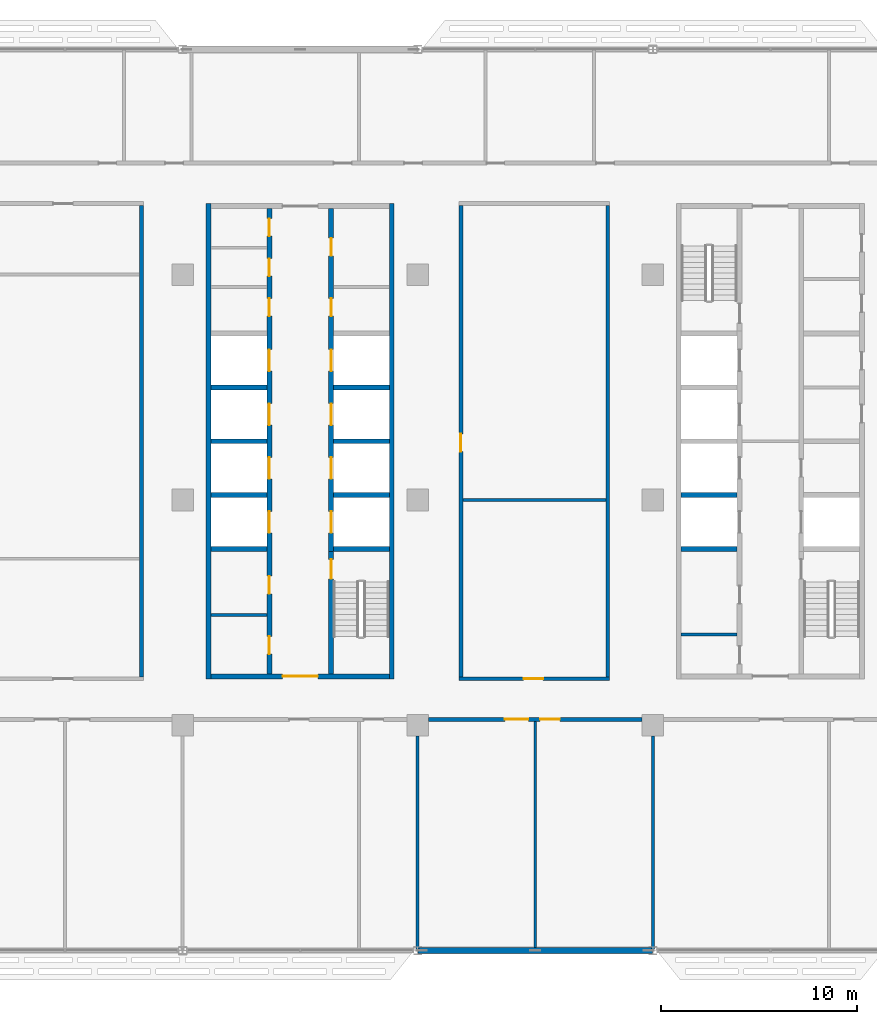
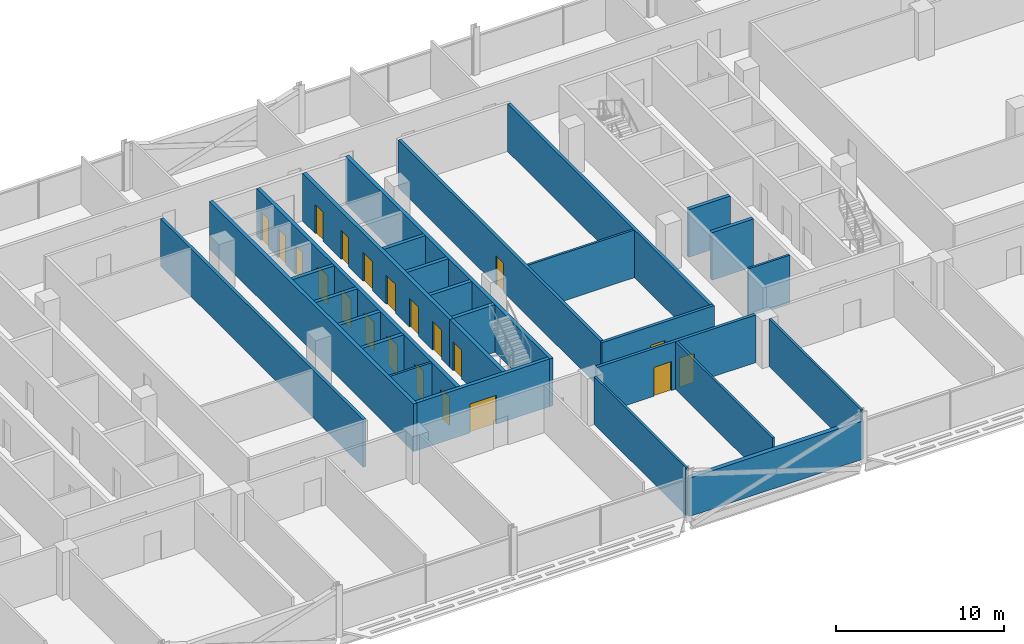
# One storey, part 14 of 30: 28 walls, 21 doors, 21 openings.
"""IFC4 building model written with IfcOpenShell, lengths in metres."""

import ifcopenshell
import ifcopenshell.guid

model = None  # the IFC model being written
_history = None  # IfcOwnerHistory: only IFC2X3 demands one
_inside = {}  # id of a spatial element -> (the spatial element, [elements in it])
_under = {}  # id of a project, library or spatial element -> (it, [spatial elements below it])
_declared = {}  # id of a project -> (the project, [libraries it declares])
_typed = {}  # id of a type object -> (the type object, [elements of that type])
_made_of = {}  # id of a material, layer set ... -> (it, [elements and type objects made of it])


def new_model(schema):
    """Start an empty IFC model of exactly this schema.

    Asked for "IFC4X3", IfcOpenShell would pick the latest addendum, in which some entities
    have other attributes; the version numbers below select the first issue.
    IFC2X3 requires an IfcOwnerHistory on every rooted entity: one is made here for all.
    """
    global model, _history
    if schema == "IFC4X3":
        model = ifcopenshell.file(schema_version=(4, 3, 0, 0))
    else:
        model = ifcopenshell.file(schema=schema)
    _inside.clear()
    _under.clear()
    _declared.clear()
    _typed.clear()
    _made_of.clear()
    _history = None
    if model.schema == "IFC2X3":
        org = make("IfcOrganization", Name="unknown")
        user = make(
            "IfcPersonAndOrganization",
            ThePerson=make("IfcPerson", FamilyName="unknown"),
            TheOrganization=org,
        )
        app = make(
            "IfcApplication",
            ApplicationDeveloper=org,
            Version="unknown",
            ApplicationFullName="unknown",
            ApplicationIdentifier="unknown",
        )
        _history = make(
            "IfcOwnerHistory",
            OwningUser=user,
            OwningApplication=app,
            ChangeAction="ADDED",
            CreationDate=0,
        )
    return model


def make(cls, **values):
    """One entity of the class cls with the attributes given. An attribute that is None is left unset."""
    return model.create_entity(
        cls, **{name: value for name, value in values.items() if value is not None}
    )


def rooted(cls, **values):
    """An entity with a GlobalId (a new one), such as an element, a storey or a relation."""
    return make(cls, GlobalId=ifcopenshell.guid.new(), OwnerHistory=_history, **values)


def si_unit(unit_type, name, prefix=None):
    """IfcSIUnit, for example si_unit("LENGTHUNIT", "METRE", prefix="MILLI")."""
    return make("IfcSIUnit", UnitType=unit_type, Prefix=prefix, Name=name)


def assignment(units):
    """IfcUnitAssignment: the units of a project."""
    return None if units is None else make("IfcUnitAssignment", Units=units)


def point(xyz):
    """IfcCartesianPoint."""
    return None if xyz is None else make("IfcCartesianPoint", Coordinates=xyz)


def direction(xyz):
    """IfcDirection."""
    return None if xyz is None else make("IfcDirection", DirectionRatios=xyz)


def frame(location, z_axis=None, x_axis=None):
    """IfcAxis2Placement3D, a coordinate frame: its origin and axes. An axis left out is left unset."""
    return make(
        "IfcAxis2Placement3D",
        Location=point(location),
        Axis=direction(z_axis),
        RefDirection=direction(x_axis),
    )


def frame_2d(location, x_axis=None):
    """IfcAxis2Placement2D, a coordinate frame in the plane: its origin and x axis."""
    return make(
        "IfcAxis2Placement2D", Location=point(location), RefDirection=direction(x_axis)
    )


def origin():
    """The frame at (0, 0, 0) with its axes left unset."""
    return frame((0.0, 0.0, 0.0))


def place(relative_to, where):
    """IfcLocalPlacement: puts the frame where relative to a parent placement (None: the world)."""
    return make(
        "IfcLocalPlacement", PlacementRelTo=relative_to, RelativePlacement=where
    )


def context(
    kind, dimensions, precision=None, world=None, true_north=None, identifier=None
):
    """IfcGeometricRepresentationContext, for example the 3D "Model" context."""
    return make(
        "IfcGeometricRepresentationContext",
        ContextIdentifier=identifier,
        ContextType=kind,
        CoordinateSpaceDimension=dimensions,
        Precision=precision,
        WorldCoordinateSystem=world,
        TrueNorth=true_north,
    )


def subcontext(parent, identifier, kind, view, scale=None):
    """IfcGeometricRepresentationSubContext, for example "Body" below "Model"."""
    return make(
        "IfcGeometricRepresentationSubContext",
        ContextIdentifier=identifier,
        ContextType=kind,
        ParentContext=parent,
        TargetScale=scale,
        TargetView=view,
    )


def project(units=None, contexts=None):
    """IfcProject with its units and contexts."""
    return rooted(
        "IfcProject",
        Name="project",
        RepresentationContexts=contexts,
        UnitsInContext=assignment(units),
    )


def spatial(cls, under=None, at=None, **own):
    """A site, building, storey or space (cls), placed at a placement, below another one or the project."""
    s = rooted(cls, ObjectPlacement=at, **own)
    if under is not None:
        _under.setdefault(under.id(), (under, []))[1].append(s)
    return s


def profile(cls, at=None, kind="AREA", **sizes):
    """A parametric profile (cls). Its sizes go by their IFC names, for example OverallWidth=200.0."""
    return make(cls, ProfileType=kind, Position=at, **sizes)


def rectangle(**sizes):
    """IfcRectangleProfileDef."""
    return profile("IfcRectangleProfileDef", **sizes)


def extrude(swept, where, along, depth):
    """IfcExtrudedAreaSolid: the profile swept, set in the frame where, extruded along a direction by depth."""
    return make(
        "IfcExtrudedAreaSolid",
        SweptArea=swept,
        Position=where,
        ExtrudedDirection=direction(along),
        Depth=depth,
    )


def shape(context_of_items, identifier, shape_type, items):
    """IfcShapeRepresentation: the items that make up one representation, for example the "Body"."""
    return make(
        "IfcShapeRepresentation",
        ContextOfItems=context_of_items,
        RepresentationIdentifier=identifier,
        RepresentationType=shape_type,
        Items=items,
    )


def material(Name=None, Category=None):
    """IfcMaterial."""
    return make("IfcMaterial", Name=Name, Category=Category)


def layer(
    of_material, thickness, ventilated=None, Name=None, Category=None, Priority=None
):
    """IfcMaterialLayer: one layer of a wall or slab, of a material (None: an air gap)."""
    return make(
        "IfcMaterialLayer",
        Material=of_material,
        LayerThickness=thickness,
        IsVentilated=ventilated,
        Name=Name,
        Category=Category,
        Priority=Priority,
    )


def layer_set(layers, Name=None):
    """IfcMaterialLayerSet."""
    return make("IfcMaterialLayerSet", MaterialLayers=layers, LayerSetName=Name)


def made_of(thing, what):
    """Note that an element or type object is made of a material, layer set ...; save() writes the relation."""
    if what is not None:
        _made_of.setdefault(what.id(), (what, []))[1].append(thing)
    return thing


def type_object(cls, material=None, **own):
    """A type object (cls), such as IfcWallType, which elements share."""
    return made_of(rooted(cls, **own), material)


def element(
    cls,
    number,
    at=None,
    inside=None,
    cuts=None,
    type_object=None,
    material=None,
    context=None,
    identifier="Body",
    shape_type=None,
    held_by="IfcProductDefinitionShape",
    body=None,
    shapes=None,
    **own,
):
    """One element of the class cls, such as IfcWall. Its Tag is "e" and its number.

    at: its placement. inside: the storey or other place that contains it. cuts: it is an
    opening in that element (IfcRelVoidsElement). A single representation is given by context,
    identifier, shape_type and body (its items); several are given by shapes. held_by: the class
    of the entity that holds the representations. save() writes the other relations.
    """
    e = rooted(cls, Tag="e%d" % number, ObjectPlacement=at, **own)
    if body is not None:
        shapes = [shape(context, identifier, shape_type, body)]
    if shapes is not None:
        e.Representation = make(held_by, Representations=shapes)
    if inside is not None:
        _inside.setdefault(inside.id(), (inside, []))[1].append(e)
    if cuts is not None:
        rooted(
            "IfcRelVoidsElement", RelatingBuildingElement=cuts, RelatedOpeningElement=e
        )
    if type_object is not None:
        _typed.setdefault(type_object.id(), (type_object, []))[1].append(e)
    return made_of(e, material)


def fill(opening, filler):
    """IfcRelFillsElement: the door or window that sits in an opening."""
    return rooted(
        "IfcRelFillsElement",
        RelatingOpeningElement=opening,
        RelatedBuildingElement=filler,
    )


def aggregate(whole, parts):
    """IfcRelAggregates: a whole, such as a stair, and the parts it consists of."""
    return rooted("IfcRelAggregates", RelatingObject=whole, RelatedObjects=parts)


def save(model, path):
    """Write the relations noted so far, then the file.

    IfcRelAggregates (storeys below a building ...), IfcRelContainedInSpatialStructure (elements
    in a storey), IfcRelDefinesByType, IfcRelAssociatesMaterial and IfcRelDeclares: one each for
    every whole, place, type object, material and project.
    """
    for whole, parts in _under.values():
        aggregate(whole, parts)
    for where, things in _inside.values():
        rooted(
            "IfcRelContainedInSpatialStructure",
            RelatedElements=things,
            RelatingStructure=where,
        )
    for kind, things in _typed.values():
        rooted("IfcRelDefinesByType", RelatedObjects=things, RelatingType=kind)
    for what, things in _made_of.values():
        rooted("IfcRelAssociatesMaterial", RelatedObjects=things, RelatingMaterial=what)
    for by, libraries in _declared.values():
        rooted("IfcRelDeclares", RelatingContext=by, RelatedDefinitions=libraries)
    model.write(path)


model = new_model("IFC4")

# Units and contexts
model_context = context("Model", 3, precision=1e-05, world=origin(), true_north=direction((0.0, 1.0)))
body_context = subcontext(model_context, "Body", "Model", "MODEL_VIEW")
ifc_project = project(units=[si_unit("LENGTHUNIT", "METRE"), si_unit("AREAUNIT", "SQUARE_METRE"), si_unit("VOLUMEUNIT", "CUBIC_METRE"), si_unit("PLANEANGLEUNIT", "RADIAN"), si_unit("MASSUNIT", "GRAM", prefix="KILO")], contexts=[model_context])

# Site, building, storey
site_placement = place(None, origin())
site = spatial("IfcSite", under=ifc_project, at=site_placement, CompositionType="ELEMENT")
building_placement = place(site_placement, origin())
building = spatial("IfcBuilding", under=site, at=building_placement, Name="Mahtab Terrace Research Tower", CompositionType="ELEMENT")
storey_placement = place(building_placement, frame((0.0, 0.0, 201.5)))
storey = spatial("IfcBuildingStorey", under=building, at=storey_placement, Name="L48", CompositionType="ELEMENT", Elevation=201.5)

# Walls
ifc_material_1 = material(Name="Gypsum board partition")
ifc_layer_1 = layer(ifc_material_1, 0.14990234375)
ifc_layer_set_1 = layer_set([ifc_layer_1], Name="Core partition 150")
wall_type_1 = type_object("IfcWallType", Name="Core partition 150", PredefinedType="PARTITIONING", material=ifc_layer_set_1)
for number, where, z_axis, x_axis, name in (
    (1, (-4.550048828125, -5.875, 0.0), (0.0, 0.0, 1.0), (1.0, 0.0, 0.0), "Core wall B pWS-888"),
    (2, (19.449951171875, -6.875, 0.0), (0.0, 0.0, 1.0), (1.0, 0.0, 0.0), "Core wall C pWS-988"),
):
    element("IfcWall", number, at=place(storey_placement, frame(where, z_axis=z_axis, x_axis=x_axis)), inside=storey, type_object=wall_type_1, Name=name, PredefinedType="PARTITIONING", context=body_context, shape_type="SweptSolid", body=[
        extrude(rectangle(XDim=2.85009765625, YDim=0.14990234375, at=frame_2d((1.425048828125, 0.0))), origin(), (0.0, 0.0, 1.0), 3.4599609375),
    ])
ifc_material_2 = material(Name="Concrete C70/85", Category="concrete")
ifc_layer_2 = layer(ifc_material_2, 0.25)
ifc_layer_set_2 = layer_set([ifc_layer_2], Name="Core wall 250")
wall_type_2 = type_object("IfcWallType", Name="Core wall 250", PredefinedType="SOLIDWALL", material=ifc_layer_set_2)
for number, where, z_axis, x_axis, name in (
    (3, (-4.675048828125, 15.125, 0.0), (0.0, 0.0, 1.0), (0.0, -1.0, 0.0), "Core wall B outerW"),
    (4, (4.675048828125, -9.125, 0.0), (0.0, 0.0, 1.0), (0.0, 1.0, 0.0), "Core wall B outerE"),
):
    element("IfcWall", number, at=place(storey_placement, frame(where, z_axis=z_axis, x_axis=x_axis)), inside=storey, type_object=wall_type_2, Name=name, PredefinedType="SOLIDWALL", context=body_context, shape_type="SweptSolid", body=[
        extrude(rectangle(XDim=24.25, YDim=0.25, at=frame_2d((12.125, 0.0))), origin(), (0.0, 0.0, 1.0), 3.4599609375),
    ])

# Wall, opening, door
wall_1_placement = place(storey_placement, frame((4.550048828125, -9.0, 0.0), z_axis=(0.0, 0.0, 1.0), x_axis=(-1.0, 0.0, 0.0)))
wall_1 = element("IfcWall", 5, at=wall_1_placement, inside=storey, type_object=wall_type_2, Name="Core wall B endS", PredefinedType="SOLIDWALL", context=body_context, shape_type="SweptSolid", body=[
    extrude(rectangle(XDim=9.10009765625, YDim=0.25, at=frame_2d((4.550048828125, 0.0))), origin(), (0.0, 0.0, 1.0), 3.4599609375),
])
opening_1_placement = place(wall_1_placement, frame((3.64990234375, 0.0, 0.0)))
opening_1 = element("IfcOpeningElement", 6, at=opening_1_placement, cuts=wall_1, Name="Opening B-S1", PredefinedType="OPENING", context=body_context, shape_type="SweptSolid", body=[
    extrude(rectangle(XDim=1.800048828125, YDim=2.10009765625, at=frame_2d((0.89990234375, 1.050048828125))), frame((0.0, 0.135009765625, 0.0), z_axis=(0.0, -1.0, 0.0), x_axis=(1.0, 0.0, 0.0)), (0.0, 0.0, 1.0), 0.27001953125),
])
ifc_material_3 = material(Name="Steel fire door", Category="steel")
door_type_1 = type_object("IfcDoorType", Name="Lobby double door 1800x2100 1 HR", OperationType="DOUBLE_DOOR_SINGLE_SWING", PredefinedType="DOOR", material=ifc_material_3)
door_1_placement = place(opening_1_placement, origin())
door_1 = element("IfcDoor", 7, at=door_1_placement, inside=storey, type_object=door_type_1, Name="Core entrance door B S", OperationType="DOUBLE_DOOR_SINGLE_SWING", OverallHeight=2.10009765625, OverallWidth=1.800048828125, PredefinedType="DOOR", context=body_context, shape_type="SweptSolid", body=[
    extrude(rectangle(XDim=1.800048828125, YDim=2.10009765625, at=frame_2d((0.89990234375, 1.050048828125))), frame((0.0, 0.02490234375, 0.0), z_axis=(0.0, -1.0, 0.0), x_axis=(1.0, 0.0, 0.0)), (0.0, 0.0, 1.0), 0.050048828125),
])
fill(opening_1, door_1)

# Wall, openings, doors
wall_2_placement = place(storey_placement, frame((-1.574951171875, -8.875, 0.0), z_axis=(0.0, 0.0, 1.0), x_axis=(0.0, 1.0, 0.0)))
wall_2 = element("IfcWall", 8, at=wall_2_placement, inside=storey, type_object=wall_type_2, Name="Core wall B innerWSLN", PredefinedType="SOLIDWALL", context=body_context, shape_type="SweptSolid", body=[
    extrude(rectangle(XDim=23.75, YDim=0.25, at=frame_2d((11.875, 0.0))), origin(), (0.0, 0.0, 1.0), 3.4599609375),
])
opening_2_placement = place(wall_2_placement, frame((7.199951171875, 0.0, 0.0)))
opening_2 = element("IfcOpeningElement", 9, at=opening_2_placement, cuts=wall_2, Name="Opening LD09-L48", PredefinedType="OPENING", context=body_context, shape_type="SweptSolid", body=[
    extrude(rectangle(XDim=1.10009765625, YDim=2.10009765625, at=frame_2d((0.550048828125, 1.050048828125))), frame((0.0, 0.135009765625, 0.0), z_axis=(0.0, -1.0, 0.0), x_axis=(1.0, 0.0, 0.0)), (0.0, 0.0, 1.0), 0.27001953125),
])
opening_3_placement = place(wall_2_placement, frame((9.949951171875, 0.0, 0.0)))
opening_3 = element("IfcOpeningElement", 10, at=opening_3_placement, cuts=wall_2, Name="Opening LD10-L48", PredefinedType="OPENING", context=body_context, shape_type="SweptSolid", body=[
    extrude(rectangle(XDim=1.10009765625, YDim=2.10009765625, at=frame_2d((0.550048828125, 1.050048828125))), frame((0.0, 0.135009765625, 0.0), z_axis=(0.0, -1.0, 0.0), x_axis=(1.0, 0.0, 0.0)), (0.0, 0.0, 1.0), 0.27001953125),
])
opening_4_placement = place(wall_2_placement, frame((12.699951171875, 0.0, 0.0)))
opening_4 = element("IfcOpeningElement", 11, at=opening_4_placement, cuts=wall_2, Name="Opening LD11-L48", PredefinedType="OPENING", context=body_context, shape_type="SweptSolid", body=[
    extrude(rectangle(XDim=1.10009765625, YDim=2.10009765625, at=frame_2d((0.550048828125, 1.050048828125))), frame((0.0, 0.135009765625, 0.0), z_axis=(0.0, -1.0, 0.0), x_axis=(1.0, 0.0, 0.0)), (0.0, 0.0, 1.0), 0.27001953125),
])
opening_5_placement = place(wall_2_placement, frame((15.449951171875, 0.0, 0.0)))
opening_5 = element("IfcOpeningElement", 12, at=opening_5_placement, cuts=wall_2, Name="Opening LD12-L48", PredefinedType="OPENING", context=body_context, shape_type="SweptSolid", body=[
    extrude(rectangle(XDim=1.10009765625, YDim=2.10009765625, at=frame_2d((0.550048828125, 1.050048828125))), frame((0.0, 0.135009765625, 0.0), z_axis=(0.0, -1.0, 0.0), x_axis=(1.0, 0.0, 0.0)), (0.0, 0.0, 1.0), 0.27001953125),
])
opening_6_placement = place(wall_2_placement, frame((1.012451171875, 0.0, 0.0)))
opening_6 = element("IfcOpeningElement", 13, at=opening_6_placement, cuts=wall_2, Name="Opening B-R1", PredefinedType="OPENING", context=body_context, shape_type="SweptSolid", body=[
    extrude(rectangle(XDim=0.89990234375, YDim=2.10009765625, at=frame_2d((0.449951171875, 1.050048828125))), frame((0.0, 0.135009765625, 0.0), z_axis=(0.0, -1.0, 0.0), x_axis=(1.0, 0.0, 0.0)), (0.0, 0.0, 1.0), 0.27001953125),
])
opening_7_placement = place(wall_2_placement, frame((4.08740234375, 0.0, 0.0)))
opening_7 = element("IfcOpeningElement", 14, at=opening_7_placement, cuts=wall_2, Name="Opening B-R2", PredefinedType="OPENING", context=body_context, shape_type="SweptSolid", body=[
    extrude(rectangle(XDim=0.89990234375, YDim=2.10009765625, at=frame_2d((0.449951171875, 1.050048828125))), frame((0.0, 0.135009765625, 0.0), z_axis=(0.0, -1.0, 0.0), x_axis=(1.0, 0.0, 0.0)), (0.0, 0.0, 1.0), 0.27001953125),
])
opening_8_placement = place(wall_2_placement, frame((18.262451171875, 0.0, 0.0)))
opening_8 = element("IfcOpeningElement", 15, at=opening_8_placement, cuts=wall_2, Name="Opening B-R3", PredefinedType="OPENING", context=body_context, shape_type="SweptSolid", body=[
    extrude(rectangle(XDim=0.89990234375, YDim=2.10009765625, at=frame_2d((0.449951171875, 1.050048828125))), frame((0.0, 0.135009765625, 0.0), z_axis=(0.0, -1.0, 0.0), x_axis=(1.0, 0.0, 0.0)), (0.0, 0.0, 1.0), 0.27001953125),
])
opening_9_placement = place(wall_2_placement, frame((20.300048828125, 0.0, 0.0)))
opening_9 = element("IfcOpeningElement", 16, at=opening_9_placement, cuts=wall_2, Name="Opening B-R4", PredefinedType="OPENING", context=body_context, shape_type="SweptSolid", body=[
    extrude(rectangle(XDim=0.89990234375, YDim=2.10009765625, at=frame_2d((0.449951171875, 1.050048828125))), frame((0.0, 0.135009765625, 0.0), z_axis=(0.0, -1.0, 0.0), x_axis=(1.0, 0.0, 0.0)), (0.0, 0.0, 1.0), 0.27001953125),
])
opening_10_placement = place(wall_2_placement, frame((22.33740234375, 0.0, 0.0)))
opening_10 = element("IfcOpeningElement", 17, at=opening_10_placement, cuts=wall_2, Name="Opening B-R5", PredefinedType="OPENING", context=body_context, shape_type="SweptSolid", body=[
    extrude(rectangle(XDim=0.89990234375, YDim=2.10009765625, at=frame_2d((0.449951171875, 1.050048828125))), frame((0.0, 0.135009765625, 0.0), z_axis=(0.0, -1.0, 0.0), x_axis=(1.0, 0.0, 0.0)), (0.0, 0.0, 1.0), 0.27001953125),
])
ifc_material_4 = material(Name="Stainless steel AISI 304", Category="steel")
door_type_2 = type_object("IfcDoorType", Name="Landing door 1100x2100", OperationType="DOUBLE_DOOR_SLIDING", PredefinedType="DOOR", material=ifc_material_4)
door_2_placement = place(opening_2_placement, origin())
door_2 = element("IfcDoor", 18, at=door_2_placement, inside=storey, type_object=door_type_2, Name="Landing door HR1 L48", OperationType="DOUBLE_DOOR_SLIDING", OverallHeight=2.10009765625, OverallWidth=1.10009765625, PredefinedType="DOOR", context=body_context, shape_type="SweptSolid", body=[
    extrude(rectangle(XDim=1.10009765625, YDim=2.10009765625, at=frame_2d((0.550048828125, 1.050048828125))), frame((0.0, 0.02490234375, 0.0), z_axis=(0.0, -1.0, 0.0), x_axis=(1.0, 0.0, 0.0)), (0.0, 0.0, 1.0), 0.050048828125),
])
fill(opening_2, door_2)
door_3_placement = place(opening_3_placement, origin())
door_3 = element("IfcDoor", 19, at=door_3_placement, inside=storey, type_object=door_type_2, Name="Landing door HR2 L48", OperationType="DOUBLE_DOOR_SLIDING", OverallHeight=2.10009765625, OverallWidth=1.10009765625, PredefinedType="DOOR", context=body_context, shape_type="SweptSolid", body=[
    extrude(rectangle(XDim=1.10009765625, YDim=2.10009765625, at=frame_2d((0.550048828125, 1.050048828125))), frame((0.0, 0.02490234375, 0.0), z_axis=(0.0, -1.0, 0.0), x_axis=(1.0, 0.0, 0.0)), (0.0, 0.0, 1.0), 0.050048828125),
])
fill(opening_3, door_3)
door_4_placement = place(opening_4_placement, origin())
door_4 = element("IfcDoor", 20, at=door_4_placement, inside=storey, type_object=door_type_2, Name="Landing door HR3 L48", OperationType="DOUBLE_DOOR_SLIDING", OverallHeight=2.10009765625, OverallWidth=1.10009765625, PredefinedType="DOOR", context=body_context, shape_type="SweptSolid", body=[
    extrude(rectangle(XDim=1.10009765625, YDim=2.10009765625, at=frame_2d((0.550048828125, 1.050048828125))), frame((0.0, 0.02490234375, 0.0), z_axis=(0.0, -1.0, 0.0), x_axis=(1.0, 0.0, 0.0)), (0.0, 0.0, 1.0), 0.050048828125),
])
fill(opening_4, door_4)
door_5_placement = place(opening_5_placement, origin())
door_5 = element("IfcDoor", 21, at=door_5_placement, inside=storey, type_object=door_type_2, Name="Landing door HR4 L48", OperationType="DOUBLE_DOOR_SLIDING", OverallHeight=2.10009765625, OverallWidth=1.10009765625, PredefinedType="DOOR", context=body_context, shape_type="SweptSolid", body=[
    extrude(rectangle(XDim=1.10009765625, YDim=2.10009765625, at=frame_2d((0.550048828125, 1.050048828125))), frame((0.0, 0.02490234375, 0.0), z_axis=(0.0, -1.0, 0.0), x_axis=(1.0, 0.0, 0.0)), (0.0, 0.0, 1.0), 0.050048828125),
])
fill(opening_5, door_5)
door_type_3 = type_object("IfcDoorType", Name="Room door 900x2100 1 HR", OperationType="NOTDEFINED", PredefinedType="DOOR", material=ifc_material_3)
door_6_placement = place(opening_6_placement, origin())
door_6 = element("IfcDoor", 22, at=door_6_placement, inside=storey, type_object=door_type_3, Name="Housekeeping store door", OperationType="SINGLE_SWING_LEFT", OverallHeight=2.10009765625, OverallWidth=0.89990234375, PredefinedType="DOOR", context=body_context, shape_type="SweptSolid", body=[
    extrude(rectangle(XDim=0.89990234375, YDim=2.10009765625, at=frame_2d((0.449951171875, 1.050048828125))), frame((0.0, 0.02490234375, 0.0), z_axis=(0.0, -1.0, 0.0), x_axis=(1.0, 0.0, 0.0)), (0.0, 0.0, 1.0), 0.050048828125),
])
fill(opening_6, door_6)
door_7_placement = place(opening_7_placement, origin())
door_7 = element("IfcDoor", 23, at=door_7_placement, inside=storey, type_object=door_type_3, Name="Electrical riser room door", OperationType="SINGLE_SWING_RIGHT", OverallHeight=2.10009765625, OverallWidth=0.89990234375, PredefinedType="DOOR", context=body_context, shape_type="SweptSolid", body=[
    extrude(rectangle(XDim=0.89990234375, YDim=2.10009765625, at=frame_2d((0.449951171875, 1.050048828125))), frame((0.0, 0.02490234375, 0.0), z_axis=(0.0, -1.0, 0.0), x_axis=(1.0, 0.0, 0.0)), (0.0, 0.0, 1.0), 0.050048828125),
])
fill(opening_7, door_7)
door_8_placement = place(opening_8_placement, origin())
door_8 = element("IfcDoor", 24, at=door_8_placement, inside=storey, type_object=door_type_3, Name="Comms riser room door", OperationType="SINGLE_SWING_LEFT", OverallHeight=2.10009765625, OverallWidth=0.89990234375, PredefinedType="DOOR", context=body_context, shape_type="SweptSolid", body=[
    extrude(rectangle(XDim=0.89990234375, YDim=2.10009765625, at=frame_2d((0.449951171875, 1.050048828125))), frame((0.0, 0.02490234375, 0.0), z_axis=(0.0, -1.0, 0.0), x_axis=(1.0, 0.0, 0.0)), (0.0, 0.0, 1.0), 0.050048828125),
])
fill(opening_8, door_8)
door_9_placement = place(opening_9_placement, origin())
door_9 = element("IfcDoor", 25, at=door_9_placement, inside=storey, type_object=door_type_3, Name="Pantry door", OperationType="SINGLE_SWING_RIGHT", OverallHeight=2.10009765625, OverallWidth=0.89990234375, PredefinedType="DOOR", context=body_context, shape_type="SweptSolid", body=[
    extrude(rectangle(XDim=0.89990234375, YDim=2.10009765625, at=frame_2d((0.449951171875, 1.050048828125))), frame((0.0, 0.02490234375, 0.0), z_axis=(0.0, -1.0, 0.0), x_axis=(1.0, 0.0, 0.0)), (0.0, 0.0, 1.0), 0.050048828125),
])
fill(opening_9, door_9)
door_10_placement = place(opening_10_placement, origin())
door_10 = element("IfcDoor", 26, at=door_10_placement, inside=storey, type_object=door_type_3, Name="Cleaners store door", OperationType="SINGLE_SWING_LEFT", OverallHeight=2.10009765625, OverallWidth=0.89990234375, PredefinedType="DOOR", context=body_context, shape_type="SweptSolid", body=[
    extrude(rectangle(XDim=0.89990234375, YDim=2.10009765625, at=frame_2d((0.449951171875, 1.050048828125))), frame((0.0, 0.02490234375, 0.0), z_axis=(0.0, -1.0, 0.0), x_axis=(1.0, 0.0, 0.0)), (0.0, 0.0, 1.0), 0.050048828125),
])
fill(opening_10, door_10)

# Wall, opening, door
wall_3_placement = place(storey_placement, frame((1.574951171875, -8.875, 0.0), z_axis=(0.0, 0.0, 1.0), x_axis=(0.0, 1.0, 0.0)))
wall_3 = element("IfcWall", 27, at=wall_3_placement, inside=storey, type_object=wall_type_2, Name="Core wall B innerES", PredefinedType="SOLIDWALL", context=body_context, shape_type="SweptSolid", body=[
    extrude(rectangle(XDim=6.25, YDim=0.25, at=frame_2d((3.125, 0.0))), origin(), (0.0, 0.0, 1.0), 3.4599609375),
])
opening_11_placement = place(wall_3_placement, frame((4.85009765625, 0.0, 0.0)))
opening_11 = element("IfcOpeningElement", 28, at=opening_11_placement, cuts=wall_3, Name="Opening B-ST2", PredefinedType="OPENING", context=body_context, shape_type="SweptSolid", body=[
    extrude(rectangle(XDim=1.0, YDim=2.10009765625, at=frame_2d((0.5, 1.050048828125))), frame((0.0, 0.135009765625, 0.0), z_axis=(0.0, -1.0, 0.0), x_axis=(1.0, 0.0, 0.0)), (0.0, 0.0, 1.0), 0.27001953125),
])
door_type_4 = type_object("IfcDoorType", Name="Stair door 1000x2100 1.5 HR", OperationType="NOTDEFINED", PredefinedType="DOOR", material=ifc_material_3)
door_11_placement = place(opening_11_placement, origin())
door_11 = element("IfcDoor", 29, at=door_11_placement, inside=storey, type_object=door_type_4, Name="Stair door ST2 L48", OperationType="SINGLE_SWING_RIGHT", OverallHeight=2.10009765625, OverallWidth=1.0, PredefinedType="DOOR", context=body_context, shape_type="SweptSolid", body=[
    extrude(rectangle(XDim=1.0, YDim=2.10009765625, at=frame_2d((0.5, 1.050048828125))), frame((0.0, 0.02490234375, 0.0), z_axis=(0.0, -1.0, 0.0), x_axis=(1.0, 0.0, 0.0)), (0.0, 0.0, 1.0), 0.050048828125),
])
fill(opening_11, door_11)

# Wall, openings, doors
wall_4_placement = place(storey_placement, frame((1.574951171875, 14.875, 0.0), z_axis=(0.0, 0.0, 1.0), x_axis=(0.0, -1.0, 0.0)))
wall_4 = element("IfcWall", 30, at=wall_4_placement, inside=storey, type_object=wall_type_2, Name="Core wall B innerELN", PredefinedType="SOLIDWALL", context=body_context, shape_type="SweptSolid", body=[
    extrude(rectangle(XDim=17.5, YDim=0.25, at=frame_2d((8.75, 0.0))), origin(), (0.0, 0.0, 1.0), 3.4599609375),
])
opening_12_placement = place(wall_4_placement, frame((15.449951171875, 0.0, 0.0)))
opening_12 = element("IfcOpeningElement", 31, at=opening_12_placement, cuts=wall_4, Name="Opening LD13-L48", PredefinedType="OPENING", context=body_context, shape_type="SweptSolid", body=[
    extrude(rectangle(XDim=1.10009765625, YDim=2.10009765625, at=frame_2d((0.550048828125, 1.050048828125))), frame((0.0, 0.135009765625, 0.0), z_axis=(0.0, -1.0, 0.0), x_axis=(1.0, 0.0, 0.0)), (0.0, 0.0, 1.0), 0.27001953125),
])
opening_13_placement = place(wall_4_placement, frame((12.699951171875, 0.0, 0.0)))
opening_13 = element("IfcOpeningElement", 32, at=opening_13_placement, cuts=wall_4, Name="Opening LD14-L48", PredefinedType="OPENING", context=body_context, shape_type="SweptSolid", body=[
    extrude(rectangle(XDim=1.10009765625, YDim=2.10009765625, at=frame_2d((0.550048828125, 1.050048828125))), frame((0.0, 0.135009765625, 0.0), z_axis=(0.0, -1.0, 0.0), x_axis=(1.0, 0.0, 0.0)), (0.0, 0.0, 1.0), 0.27001953125),
])
opening_14_placement = place(wall_4_placement, frame((9.949951171875, 0.0, 0.0)))
opening_14 = element("IfcOpeningElement", 33, at=opening_14_placement, cuts=wall_4, Name="Opening LD15-L48", PredefinedType="OPENING", context=body_context, shape_type="SweptSolid", body=[
    extrude(rectangle(XDim=1.10009765625, YDim=2.10009765625, at=frame_2d((0.550048828125, 1.050048828125))), frame((0.0, 0.135009765625, 0.0), z_axis=(0.0, -1.0, 0.0), x_axis=(1.0, 0.0, 0.0)), (0.0, 0.0, 1.0), 0.27001953125),
])
opening_15_placement = place(wall_4_placement, frame((7.199951171875, 0.0, 0.0)))
opening_15 = element("IfcOpeningElement", 34, at=opening_15_placement, cuts=wall_4, Name="Opening LD16-L48", PredefinedType="OPENING", context=body_context, shape_type="SweptSolid", body=[
    extrude(rectangle(XDim=1.10009765625, YDim=2.10009765625, at=frame_2d((0.550048828125, 1.050048828125))), frame((0.0, 0.135009765625, 0.0), z_axis=(0.0, -1.0, 0.0), x_axis=(1.0, 0.0, 0.0)), (0.0, 0.0, 1.0), 0.27001953125),
])
opening_16_placement = place(wall_4_placement, frame((4.58740234375, 0.0, 0.0)))
opening_16 = element("IfcOpeningElement", 35, at=opening_16_placement, cuts=wall_4, Name="Opening B-R6", PredefinedType="OPENING", context=body_context, shape_type="SweptSolid", body=[
    extrude(rectangle(XDim=0.89990234375, YDim=2.10009765625, at=frame_2d((0.449951171875, 1.050048828125))), frame((0.0, 0.135009765625, 0.0), z_axis=(0.0, -1.0, 0.0), x_axis=(1.0, 0.0, 0.0)), (0.0, 0.0, 1.0), 0.27001953125),
])
opening_17_placement = place(wall_4_placement, frame((1.512451171875, 0.0, 0.0)))
opening_17 = element("IfcOpeningElement", 36, at=opening_17_placement, cuts=wall_4, Name="Opening B-R7", PredefinedType="OPENING", context=body_context, shape_type="SweptSolid", body=[
    extrude(rectangle(XDim=0.89990234375, YDim=2.10009765625, at=frame_2d((0.449951171875, 1.050048828125))), frame((0.0, 0.135009765625, 0.0), z_axis=(0.0, -1.0, 0.0), x_axis=(1.0, 0.0, 0.0)), (0.0, 0.0, 1.0), 0.27001953125),
])
door_12_placement = place(opening_12_placement, origin())
door_12 = element("IfcDoor", 37, at=door_12_placement, inside=storey, type_object=door_type_2, Name="Landing door HR5 L48", OperationType="DOUBLE_DOOR_SLIDING", OverallHeight=2.10009765625, OverallWidth=1.10009765625, PredefinedType="DOOR", context=body_context, shape_type="SweptSolid", body=[
    extrude(rectangle(XDim=1.10009765625, YDim=2.10009765625, at=frame_2d((0.550048828125, 1.050048828125))), frame((0.0, 0.02490234375, 0.0), z_axis=(0.0, -1.0, 0.0), x_axis=(1.0, 0.0, 0.0)), (0.0, 0.0, 1.0), 0.050048828125),
])
fill(opening_12, door_12)
door_13_placement = place(opening_13_placement, origin())
door_13 = element("IfcDoor", 38, at=door_13_placement, inside=storey, type_object=door_type_2, Name="Landing door HR6 L48", OperationType="DOUBLE_DOOR_SLIDING", OverallHeight=2.10009765625, OverallWidth=1.10009765625, PredefinedType="DOOR", context=body_context, shape_type="SweptSolid", body=[
    extrude(rectangle(XDim=1.10009765625, YDim=2.10009765625, at=frame_2d((0.550048828125, 1.050048828125))), frame((0.0, 0.02490234375, 0.0), z_axis=(0.0, -1.0, 0.0), x_axis=(1.0, 0.0, 0.0)), (0.0, 0.0, 1.0), 0.050048828125),
])
fill(opening_13, door_13)
door_14_placement = place(opening_14_placement, origin())
door_14 = element("IfcDoor", 39, at=door_14_placement, inside=storey, type_object=door_type_2, Name="Landing door HR7 L48", OperationType="DOUBLE_DOOR_SLIDING", OverallHeight=2.10009765625, OverallWidth=1.10009765625, PredefinedType="DOOR", context=body_context, shape_type="SweptSolid", body=[
    extrude(rectangle(XDim=1.10009765625, YDim=2.10009765625, at=frame_2d((0.550048828125, 1.050048828125))), frame((0.0, 0.02490234375, 0.0), z_axis=(0.0, -1.0, 0.0), x_axis=(1.0, 0.0, 0.0)), (0.0, 0.0, 1.0), 0.050048828125),
])
fill(opening_14, door_14)
door_15_placement = place(opening_15_placement, origin())
door_15 = element("IfcDoor", 40, at=door_15_placement, inside=storey, type_object=door_type_2, Name="Landing door HR8 L48", OperationType="DOUBLE_DOOR_SLIDING", OverallHeight=2.10009765625, OverallWidth=1.10009765625, PredefinedType="DOOR", context=body_context, shape_type="SweptSolid", body=[
    extrude(rectangle(XDim=1.10009765625, YDim=2.10009765625, at=frame_2d((0.550048828125, 1.050048828125))), frame((0.0, 0.02490234375, 0.0), z_axis=(0.0, -1.0, 0.0), x_axis=(1.0, 0.0, 0.0)), (0.0, 0.0, 1.0), 0.050048828125),
])
fill(opening_15, door_15)
door_16_placement = place(opening_16_placement, origin())
door_16 = element("IfcDoor", 41, at=door_16_placement, inside=storey, type_object=door_type_3, Name="Accessible WC door", OperationType="SINGLE_SWING_RIGHT", OverallHeight=2.10009765625, OverallWidth=0.89990234375, PredefinedType="DOOR", context=body_context, shape_type="SweptSolid", body=[
    extrude(rectangle(XDim=0.89990234375, YDim=2.10009765625, at=frame_2d((0.449951171875, 1.050048828125))), frame((0.0, 0.02490234375, 0.0), z_axis=(0.0, -1.0, 0.0), x_axis=(1.0, 0.0, 0.0)), (0.0, 0.0, 1.0), 0.050048828125),
])
fill(opening_16, door_16)
door_17_placement = place(opening_17_placement, origin())
door_17 = element("IfcDoor", 42, at=door_17_placement, inside=storey, type_object=door_type_3, Name="WC block door", OperationType="SINGLE_SWING_LEFT", OverallHeight=2.10009765625, OverallWidth=0.89990234375, PredefinedType="DOOR", context=body_context, shape_type="SweptSolid", body=[
    extrude(rectangle(XDim=0.89990234375, YDim=2.10009765625, at=frame_2d((0.449951171875, 1.050048828125))), frame((0.0, 0.02490234375, 0.0), z_axis=(0.0, -1.0, 0.0), x_axis=(1.0, 0.0, 0.0)), (0.0, 0.0, 1.0), 0.050048828125),
])
fill(opening_17, door_17)

# Walls
for number, where, z_axis, x_axis, name in (
    (43, (-4.550048828125, -2.5, 0.0), (0.0, 0.0, 1.0), (1.0, 0.0, 0.0), "Core wall B divW0"),
    (44, (-4.550048828125, 0.25, 0.0), (0.0, 0.0, 1.0), (1.0, 0.0, 0.0), "Core wall B divW1"),
    (45, (-4.550048828125, 3.0, 0.0), (0.0, 0.0, 1.0), (1.0, 0.0, 0.0), "Core wall B divW2"),
    (46, (-4.550048828125, 5.75, 0.0), (0.0, 0.0, 1.0), (1.0, 0.0, 0.0), "Core wall B divW3"),
    (47, (1.699951171875, -2.5, 0.0), (0.0, 0.0, 1.0), (1.0, 0.0, 0.0), "Core wall B divE0"),
    (48, (1.699951171875, 0.25, 0.0), (0.0, 0.0, 1.0), (1.0, 0.0, 0.0), "Core wall B divE1"),
    (49, (1.699951171875, 3.0, 0.0), (0.0, 0.0, 1.0), (1.0, 0.0, 0.0), "Core wall B divE2"),
    (50, (1.699951171875, 5.75, 0.0), (0.0, 0.0, 1.0), (1.0, 0.0, 0.0), "Core wall B divE3"),
    (51, (19.449951171875, -2.5, 0.0), (0.0, 0.0, 1.0), (1.0, 0.0, 0.0), "Core wall C divW0"),
    (52, (19.449951171875, 0.25, 0.0), (0.0, 0.0, 1.0), (1.0, 0.0, 0.0), "Core wall C divW1"),
):
    element("IfcWall", number, at=place(storey_placement, frame(where, z_axis=z_axis, x_axis=x_axis)), inside=storey, type_object=wall_type_2, Name=name, PredefinedType="SOLIDWALL", context=body_context, shape_type="SweptSolid", body=[
        extrude(rectangle(XDim=2.85009765625, YDim=0.25, at=frame_2d((1.425048828125, 0.0))), origin(), (0.0, 0.0, 1.0), 3.4599609375),
    ])
ifc_material_5 = material(Name="Black aluminium cladding panel", Category="aluminium")
ifc_layer_3 = layer(ifc_material_5, 0.300048828125)
ifc_layer_set_3 = layer_set([ifc_layer_3], Name="Opaque facade wall 300")
wall_type_3 = type_object("IfcWallType", Name="Opaque facade wall 300", PredefinedType="NOTDEFINED", material=ifc_layer_set_3)
wall_5_placement = place(storey_placement, frame((6.012451171875, -23.0, 0.0), z_axis=(0.0, 0.0, 1.0), x_axis=(1.0, 0.0, 0.0)))
element("IfcWall", 53, at=wall_5_placement, inside=storey, type_object=wall_type_3, Name="Opaque facade wall L48 S27", PredefinedType="NOTDEFINED", context=body_context, shape_type="SweptSolid", body=[
    extrude(rectangle(XDim=11.97509765625, YDim=0.300048828125, at=frame_2d((5.987548828125, 0.0))), origin(), (0.0, 0.0, 1.0), 2.78173828125),
])

# Wall, openings, doors
ifc_material_6 = material(Name="Gypsum board corridor wall on steel studs", Category="steel")
ifc_layer_4 = layer(ifc_material_6, 0.199951171875)
ifc_layer_set_4 = layer_set([ifc_layer_4], Name="WALL CORRIDOR 200")
wall_type_4 = type_object("IfcWallType", Name="WALL CORRIDOR 200", PredefinedType="PARTITIONING", material=ifc_layer_set_4)
wall_6_placement = place(storey_placement, frame((6.550048828125, -11.199951171875, 0.0), z_axis=(0.0, 0.0, 1.0), x_axis=(1.0, 0.0, 0.0)))
wall_6 = element("IfcWall", 54, at=wall_6_placement, inside=storey, type_object=wall_type_4, Name="L48-W005", PredefinedType="PARTITIONING", context=body_context, shape_type="SweptSolid", body=[
    extrude(rectangle(XDim=10.89990234375, YDim=0.199951171875, at=frame_2d((5.449951171875, 0.0))), origin(), (0.0, 0.0, 1.0), 3.4599609375),
])
opening_18_placement = place(wall_6_placement, frame((3.89990234375, 0.0, 0.0)))
opening_18 = element("IfcOpeningElement", 55, at=opening_18_placement, cuts=wall_6, Name="Opening L48-109", PredefinedType="OPENING", context=body_context, shape_type="SweptSolid", body=[
    extrude(rectangle(XDim=1.199951171875, YDim=2.10009765625, at=frame_2d((0.60009765625, 1.050048828125))), frame((0.0, 0.10986328125, 0.0), z_axis=(0.0, -1.0, 0.0), x_axis=(1.0, 0.0, 0.0)), (0.0, 0.0, 1.0), 0.219970703125),
])
opening_19_placement = place(wall_6_placement, frame((5.699951171875, 0.0, 0.0)))
opening_19 = element("IfcOpeningElement", 56, at=opening_19_placement, cuts=wall_6, Name="Opening L48-110", PredefinedType="OPENING", context=body_context, shape_type="SweptSolid", body=[
    extrude(rectangle(XDim=1.0, YDim=2.10009765625, at=frame_2d((0.5, 1.050048828125))), frame((0.0, 0.10986328125, 0.0), z_axis=(0.0, -1.0, 0.0), x_axis=(1.0, 0.0, 0.0)), (0.0, 0.0, 1.0), 0.219970703125),
])
ifc_material_7 = material(Name="Timber door leaf in steel frame", Category="steel")
door_type_5 = type_object("IfcDoorType", Name="DOOR 1000X2100 FD30S", OperationType="SINGLE_SWING_LEFT", PredefinedType="DOOR", material=ifc_material_7)
door_18_placement = place(opening_19_placement, origin())
door_18 = element("IfcDoor", 57, at=door_18_placement, inside=storey, type_object=door_type_5, Name="Door L48-110", OperationType="SINGLE_SWING_LEFT", OverallHeight=2.10009765625, OverallWidth=1.0, PredefinedType="DOOR", context=body_context, shape_type="SweptSolid", body=[
    extrude(rectangle(XDim=1.0, YDim=2.10009765625, at=frame_2d((0.5, 1.050048828125))), frame((0.0, 0.02490234375, 0.0), z_axis=(0.0, -1.0, 0.0), x_axis=(1.0, 0.0, 0.0)), (0.0, 0.0, 1.0), 0.050048828125),
])
fill(opening_19, door_18)
door_type_6 = type_object("IfcDoorType", Name="DOOR 1200X2100 FD30S", OperationType="SINGLE_SWING_LEFT", PredefinedType="DOOR", material=ifc_material_7)
door_19_placement = place(opening_18_placement, origin())
door_19 = element("IfcDoor", 58, at=door_19_placement, inside=storey, type_object=door_type_6, Name="Door L48-109", OperationType="SINGLE_SWING_RIGHT", OverallHeight=2.10009765625, OverallWidth=1.199951171875, PredefinedType="DOOR", context=body_context, shape_type="SweptSolid", body=[
    extrude(rectangle(XDim=1.199951171875, YDim=2.10009765625, at=frame_2d((0.60009765625, 1.050048828125))), frame((0.0, 0.02490234375, 0.0), z_axis=(0.0, -1.0, 0.0), x_axis=(1.0, 0.0, 0.0)), (0.0, 0.0, 1.0), 0.050048828125),
])
fill(opening_18, door_19)

# Wall, opening, door
wall_7_placement = place(storey_placement, frame((8.10009765625, -9.125, 0.0), z_axis=(0.0, 0.0, 1.0), x_axis=(1.0, 0.0, 0.0)))
wall_7 = element("IfcWall", 59, at=wall_7_placement, inside=storey, type_object=wall_type_4, Name="L48-W011", PredefinedType="PARTITIONING", context=body_context, shape_type="SweptSolid", body=[
    extrude(rectangle(XDim=7.699951171875, YDim=0.199951171875, at=frame_2d((3.85009765625, 0.0))), origin(), (0.0, 0.0, 1.0), 3.4599609375),
])
opening_20_placement = place(wall_7_placement, frame((3.300048828125, 0.0, 0.0)))
opening_20 = element("IfcOpeningElement", 60, at=opening_20_placement, cuts=wall_7, Name="Opening L48-119", PredefinedType="OPENING", context=body_context, shape_type="SweptSolid", body=[
    extrude(rectangle(XDim=1.0, YDim=2.10009765625, at=frame_2d((0.5, 1.050048828125))), frame((0.0, 0.10986328125, 0.0), z_axis=(0.0, -1.0, 0.0), x_axis=(1.0, 0.0, 0.0)), (0.0, 0.0, 1.0), 0.219970703125),
])
door_20_placement = place(opening_20_placement, origin())
door_20 = element("IfcDoor", 61, at=door_20_placement, inside=storey, type_object=door_type_5, Name="Door L48-119", OperationType="SINGLE_SWING_LEFT", OverallHeight=2.10009765625, OverallWidth=1.0, PredefinedType="DOOR", context=body_context, shape_type="SweptSolid", body=[
    extrude(rectangle(XDim=1.0, YDim=2.10009765625, at=frame_2d((0.5, 1.050048828125))), frame((0.0, 0.02490234375, 0.0), z_axis=(0.0, -1.0, 0.0), x_axis=(1.0, 0.0, 0.0)), (0.0, 0.0, 1.0), 0.050048828125),
])
fill(opening_20, door_20)

# Wall
wall_8_placement = place(storey_placement, frame((-8.10009765625, -9.02490234375, 0.0), z_axis=(0.0, 0.0, 1.0), x_axis=(0.0, 1.0, 0.0)))
element("IfcWall", 62, at=wall_8_placement, inside=storey, type_object=wall_type_4, Name="L48-W036", PredefinedType="PARTITIONING", context=body_context, shape_type="SweptSolid", body=[
    extrude(rectangle(XDim=24.0498046875, YDim=0.199951171875, at=frame_2d((12.02490234375, 0.0))), origin(), (0.0, 0.0, 1.0), 3.4599609375),
])

# Wall, opening, door
wall_9_placement = place(storey_placement, frame((8.199951171875, -9.02490234375, 0.0), z_axis=(0.0, 0.0, 1.0), x_axis=(0.0, 1.0, 0.0)))
wall_9 = element("IfcWall", 63, at=wall_9_placement, inside=storey, type_object=wall_type_4, Name="L48-W042", PredefinedType="PARTITIONING", context=body_context, shape_type="SweptSolid", body=[
    extrude(rectangle(XDim=24.0498046875, YDim=0.199951171875, at=frame_2d((12.02490234375, 0.0))), origin(), (0.0, 0.0, 1.0), 3.4599609375),
])
opening_21_placement = place(wall_9_placement, frame((11.5, 0.0, 0.0)))
opening_21 = element("IfcOpeningElement", 64, at=opening_21_placement, cuts=wall_9, Name="Opening L48-123", PredefinedType="OPENING", context=body_context, shape_type="SweptSolid", body=[
    extrude(rectangle(XDim=0.89990234375, YDim=2.10009765625, at=frame_2d((0.449951171875, 1.050048828125))), frame((0.0, 0.10986328125, 0.0), z_axis=(0.0, -1.0, 0.0), x_axis=(1.0, 0.0, 0.0)), (0.0, 0.0, 1.0), 0.219970703125),
])
door_type_7 = type_object("IfcDoorType", Name="DOOR 0900X2100 FD30S", OperationType="SINGLE_SWING_LEFT", PredefinedType="DOOR", material=ifc_material_7)
door_21_placement = place(opening_21_placement, origin())
door_21 = element("IfcDoor", 65, at=door_21_placement, inside=storey, type_object=door_type_7, Name="Door L48-123", OperationType="SINGLE_SWING_RIGHT", OverallHeight=2.10009765625, OverallWidth=0.89990234375, PredefinedType="DOOR", context=body_context, shape_type="SweptSolid", body=[
    extrude(rectangle(XDim=0.89990234375, YDim=2.10009765625, at=frame_2d((0.449951171875, 1.050048828125))), frame((0.0, 0.02490234375, 0.0), z_axis=(0.0, -1.0, 0.0), x_axis=(1.0, 0.0, 0.0)), (0.0, 0.0, 1.0), 0.050048828125),
])
fill(opening_21, door_21)

# Walls
wall_10_placement = place(storey_placement, frame((15.699951171875, -9.02490234375, 0.0), z_axis=(0.0, 0.0, 1.0), x_axis=(0.0, 1.0, 0.0)))
element("IfcWall", 66, at=wall_10_placement, inside=storey, type_object=wall_type_4, Name="L48-W046", PredefinedType="PARTITIONING", context=body_context, shape_type="SweptSolid", body=[
    extrude(rectangle(XDim=24.0498046875, YDim=0.199951171875, at=frame_2d((12.02490234375, 0.0))), origin(), (0.0, 0.0, 1.0), 3.4599609375),
])
ifc_material_8 = material(Name="Gypsum board partition on steel studs", Category="steel")
ifc_layer_5 = layer(ifc_material_8, 0.14990234375)
ifc_layer_set_5 = layer_set([ifc_layer_5], Name="WALL PARTITION 150")
wall_type_5 = type_object("IfcWallType", Name="WALL PARTITION 150", PredefinedType="PARTITIONING", material=ifc_layer_set_5)
wall_11_placement = place(storey_placement, frame((8.300048828125, 0.0, 0.0), z_axis=(0.0, 0.0, 1.0), x_axis=(1.0, 0.0, 0.0)))
element("IfcWall", 67, at=wall_11_placement, inside=storey, type_object=wall_type_5, Name="L48-W016", PredefinedType="PARTITIONING", context=body_context, shape_type="SweptSolid", body=[
    extrude(rectangle(XDim=7.300048828125, YDim=0.14990234375, at=frame_2d((3.64990234375, 0.0))), origin(), (0.0, 0.0, 1.0), 3.4599609375),
])
wall_12_placement = place(storey_placement, frame((6.0, -22.97509765625, 0.0), z_axis=(0.0, 0.0, 1.0), x_axis=(0.0, 1.0, 0.0)))
element("IfcWall", 68, at=wall_12_placement, inside=storey, type_object=wall_type_5, Name="L48-W041", PredefinedType="PARTITIONING", context=body_context, shape_type="SweptSolid", body=[
    extrude(rectangle(XDim=10.925048828125, YDim=0.14990234375, at=frame_2d((5.46240234375, 0.0))), origin(), (0.0, 0.0, 1.0), 3.4599609375),
])
wall_13_placement = place(storey_placement, frame((12.0, -22.85009765625, 0.0), z_axis=(0.0, 0.0, 1.0), x_axis=(0.0, 1.0, 0.0)))
element("IfcWall", 69, at=wall_13_placement, inside=storey, type_object=wall_type_5, Name="L48-W044", PredefinedType="PARTITIONING", context=body_context, shape_type="SweptSolid", body=[
    extrude(rectangle(XDim=11.550048828125, YDim=0.14990234375, at=frame_2d((5.77490234375, 0.0))), origin(), (0.0, 0.0, 1.0), 3.4599609375),
])
wall_14_placement = place(storey_placement, frame((18.0, -22.97509765625, 0.0), z_axis=(0.0, 0.0, 1.0), x_axis=(0.0, 1.0, 0.0)))
element("IfcWall", 70, at=wall_14_placement, inside=storey, type_object=wall_type_5, Name="L48-W047", PredefinedType="PARTITIONING", context=body_context, shape_type="SweptSolid", body=[
    extrude(rectangle(XDim=10.925048828125, YDim=0.14990234375, at=frame_2d((5.46240234375, 0.0))), origin(), (0.0, 0.0, 1.0), 3.4599609375),
])

save(model, "model.ifc")
